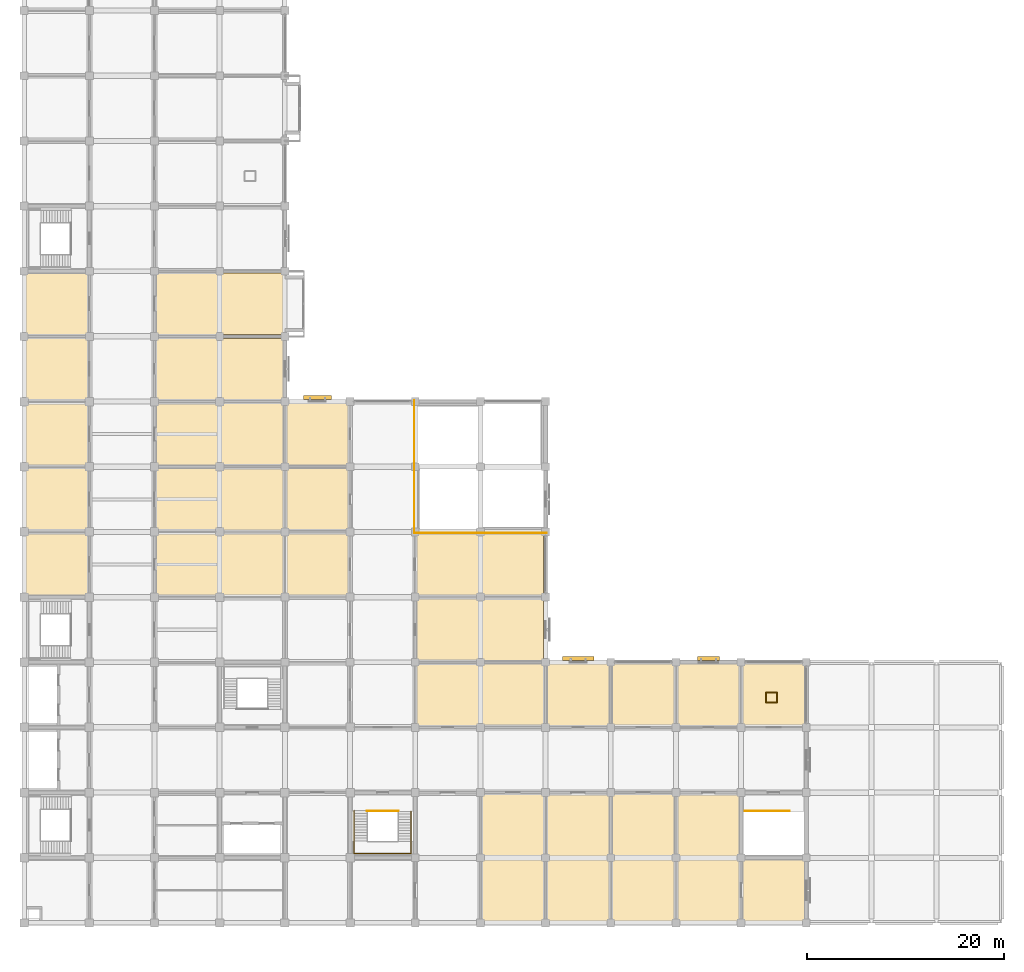
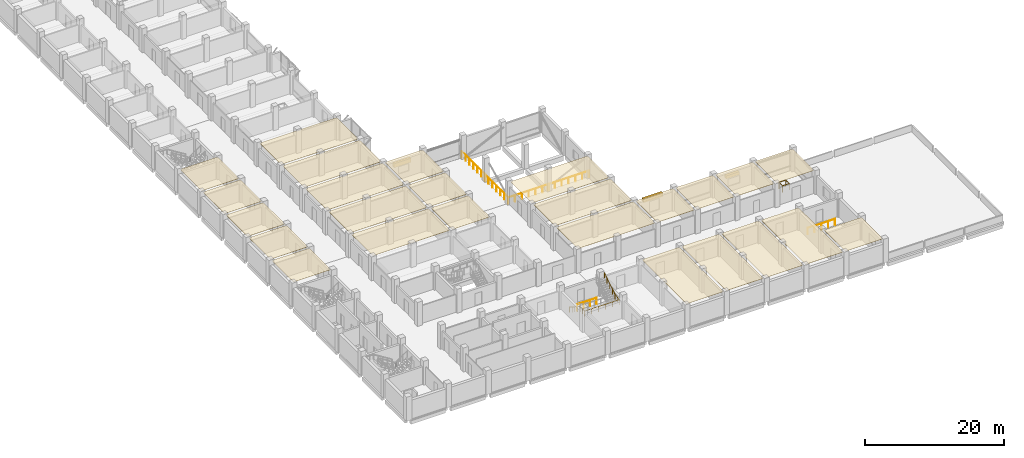
# One storey, part 29 of 30: 25 coverings, 8 railings, 3 shading devices.
"""IFC4 building model written with IfcOpenShell, lengths in metres."""

from ifc_helpers import new_model, si_unit, direction, frame, origin, origin_2d, place, context, subcontext, project, spatial, polyline, rectangle, circle, outline, extrude, material, layer, layer_set, type_object, element, save


model = new_model("IFC4")

# Units and contexts
model_context = context("Model", 3, precision=1e-05, world=origin(), true_north=direction((0.0, 1.0)))
body_context = subcontext(model_context, "Body", "Model", "MODEL_VIEW")
ifc_project = project(units=[si_unit("LENGTHUNIT", "METRE"), si_unit("AREAUNIT", "SQUARE_METRE"), si_unit("VOLUMEUNIT", "CUBIC_METRE"), si_unit("PLANEANGLEUNIT", "RADIAN"), si_unit("MASSUNIT", "GRAM", prefix="KILO")], contexts=[model_context])

# Site, building, storey
site_placement = place(None, origin())
site = spatial("IfcSite", under=ifc_project, at=site_placement, CompositionType="ELEMENT")
building_placement = place(site_placement, origin())
building = spatial("IfcBuilding", under=site, at=building_placement, Name="Rusizi Kubbe Research Institute", CompositionType="ELEMENT")
storey_placement = place(building_placement, frame((0.0, 0.0, 10.199951171875)))
storey = spatial("IfcBuildingStorey", under=building, at=storey_placement, Name="L02", CompositionType="ELEMENT", Elevation=10.199951171875)

# Coverings
ifc_material_1 = material(Name="Mineral-Fibre Acoustic Laboratory Ceiling", Category="masonry")
ifc_layer_1 = layer(ifc_material_1, 0.0400390625)
ifc_layer_set_1 = layer_set([ifc_layer_1], Name="Mineral-Fibre Acoustic Laboratory Ceiling")
covering_type_1 = type_object("IfcCoveringType", Name="CL-ACOUSTIC", PredefinedType="CEILING", material=ifc_layer_set_1)
covering_1_placement = place(storey_placement, frame((0.0, 0.0, 3.81005859375)))
element("IfcCovering", 1, at=covering_1_placement, inside=storey, type_object=covering_type_1, Name="Write-up Office Ceiling L02-ELBW-05", PredefinedType="CEILING", context=body_context, shape_type="SweptSolid", body=[
    extrude(outline(polyline([(26.590087890625, 33.18994140625), (32.81005859375, 33.18994140625), (32.81005859375, 39.409912109375), (26.590087890625, 39.409912109375), (26.590087890625, 33.18994140625)])), origin(), (0.0, 0.0, 1.0), 0.0400390625),
])
covering_2_placement = place(storey_placement, frame((0.0, 0.0, 3.81005859375)))
element("IfcCovering", 2, at=covering_2_placement, inside=storey, type_object=covering_type_1, Name="Write-up Office Ceiling L02-ELBW-06", PredefinedType="CEILING", context=body_context, shape_type="SweptSolid", body=[
    extrude(outline(polyline([(26.590087890625, 39.7900390625), (32.81005859375, 39.7900390625), (32.81005859375, 46.010009765625), (26.590087890625, 46.010009765625), (26.590087890625, 39.7900390625)])), origin(), (0.0, 0.0, 1.0), 0.0400390625),
])
covering_3_placement = place(storey_placement, frame((0.0, 0.0, 3.81005859375)))
element("IfcCovering", 3, at=covering_3_placement, inside=storey, type_object=covering_type_1, Name="Write-up Office Ceiling L02-ELBW-07", PredefinedType="CEILING", context=body_context, shape_type="SweptSolid", body=[
    extrude(outline(polyline([(26.590087890625, 46.389892578125), (32.81005859375, 46.389892578125), (32.81005859375, 52.610107421875), (26.590087890625, 52.610107421875), (26.590087890625, 46.389892578125)])), origin(), (0.0, 0.0, 1.0), 0.0400390625),
])
covering_4_placement = place(storey_placement, frame((0.0, 0.0, 3.81005859375)))
element("IfcCovering", 4, at=covering_4_placement, inside=storey, type_object=covering_type_1, Name="Write-up Office Ceiling L02-ELBE-03", PredefinedType="CEILING", context=body_context, shape_type="SweptSolid", body=[
    extrude(outline(polyline([(39.7900390625, 19.989990234375), (52.610107421875, 19.989990234375), (52.610107421875, 26.2099609375), (39.7900390625, 26.2099609375), (39.7900390625, 19.989990234375)])), origin(), (0.0, 0.0, 1.0), 0.0400390625),
])
covering_5_placement = place(storey_placement, frame((0.0, 0.0, 3.81005859375)))
element("IfcCovering", 5, at=covering_5_placement, inside=storey, type_object=covering_type_1, Name="Write-up Office Ceiling L02-ELBE-04", PredefinedType="CEILING", context=body_context, shape_type="SweptSolid", body=[
    extrude(outline(polyline([(39.7900390625, 26.590087890625), (52.610107421875, 26.590087890625), (52.610107421875, 32.81005859375), (39.7900390625, 32.81005859375), (39.7900390625, 26.590087890625)])), origin(), (0.0, 0.0, 1.0), 0.0400390625),
])
covering_6_placement = place(storey_placement, frame((0.0, 0.0, 3.81005859375)))
element("IfcCovering", 6, at=covering_6_placement, inside=storey, type_object=covering_type_1, Name="Write-up Office Ceiling L02-ELBE-05", PredefinedType="CEILING", context=body_context, shape_type="SweptSolid", body=[
    extrude(outline(polyline([(39.7900390625, 33.18994140625), (52.610107421875, 33.18994140625), (52.610107421875, 39.409912109375), (39.7900390625, 39.409912109375), (39.7900390625, 33.18994140625)])), origin(), (0.0, 0.0, 1.0), 0.0400390625),
])
covering_7_placement = place(storey_placement, frame((0.0, 0.0, 3.81005859375)))
element("IfcCovering", 7, at=covering_7_placement, inside=storey, type_object=covering_type_1, Name="Write-up Office Ceiling L02-NW-03", PredefinedType="CEILING", context=body_context, shape_type="SweptSolid", body=[
    extrude(outline(polyline([(13.389892578125, 33.18994140625), (26.2099609375, 33.18994140625), (26.2099609375, 39.409912109375), (13.389892578125, 39.409912109375), (13.389892578125, 33.18994140625)])), origin(), (0.0, 0.0, 1.0), 0.0400390625),
])
covering_8_placement = place(storey_placement, frame((0.0, 0.0, 3.81005859375)))
element("IfcCovering", 8, at=covering_8_placement, inside=storey, type_object=covering_type_1, Name="Bioscience Wet Laboratory Ceiling L02-NW-04", PredefinedType="CEILING", context=body_context, shape_type="SweptSolid", body=[
    extrude(outline(polyline([(13.389892578125, 39.7900390625), (26.2099609375, 39.7900390625), (26.2099609375, 46.010009765625), (13.389892578125, 46.010009765625), (13.389892578125, 39.7900390625)])), origin(), (0.0, 0.0, 1.0), 0.0400390625),
])
covering_9_placement = place(storey_placement, frame((0.0, 0.0, 3.81005859375)))
element("IfcCovering", 9, at=covering_9_placement, inside=storey, type_object=covering_type_1, Name="Computational Dry Laboratory Ceiling L02-NW-05", PredefinedType="CEILING", context=body_context, shape_type="SweptSolid", body=[
    extrude(outline(polyline([(13.389892578125, 46.389892578125), (26.2099609375, 46.389892578125), (26.2099609375, 52.610107421875), (13.389892578125, 52.610107421875), (13.389892578125, 46.389892578125)])), origin(), (0.0, 0.0, 1.0), 0.0400390625),
])
covering_10_placement = place(storey_placement, frame((0.0, 0.0, 3.81005859375)))
element("IfcCovering", 10, at=covering_10_placement, inside=storey, type_object=covering_type_1, Name="Write-up Office Ceiling L02-NW-06", PredefinedType="CEILING", context=body_context, shape_type="SweptSolid", body=[
    extrude(outline(polyline([(13.389892578125, 52.989990234375), (26.2099609375, 52.989990234375), (26.2099609375, 59.2099609375), (13.389892578125, 59.2099609375), (13.389892578125, 52.989990234375)])), origin(), (0.0, 0.0, 1.0), 0.0400390625),
])
covering_11_placement = place(storey_placement, frame((0.0, 0.0, 3.81005859375)))
element("IfcCovering", 11, at=covering_11_placement, inside=storey, type_object=covering_type_1, Name="Bioscience Wet Laboratory Ceiling L02-NW-07", PredefinedType="CEILING", context=body_context, shape_type="SweptSolid", body=[
    extrude(outline(polyline([(13.389892578125, 59.590087890625), (26.2099609375, 59.590087890625), (26.2099609375, 65.81005859375), (13.389892578125, 65.81005859375), (13.389892578125, 59.590087890625)])), origin(), (0.0, 0.0, 1.0), 0.0400390625),
])
covering_12_placement = place(storey_placement, frame((0.0, 0.0, 3.81005859375)))
element("IfcCovering", 12, at=covering_12_placement, inside=storey, type_object=covering_type_1, Name="Catalysis Wet Laboratory Ceiling L02-EWS-03", PredefinedType="CEILING", context=body_context, shape_type="SweptSolid", body=[
    extrude(outline(polyline([(46.389892578125, 0.18994140625), (52.610107421875, 0.18994140625), (52.610107421875, 13.010009765625), (46.389892578125, 13.010009765625), (46.389892578125, 0.18994140625)])), origin(), (0.0, 0.0, 1.0), 0.0400390625),
])
covering_13_placement = place(storey_placement, frame((0.0, 0.0, 3.81005859375)))
element("IfcCovering", 13, at=covering_13_placement, inside=storey, type_object=covering_type_1, Name="Catalysis Wet Laboratory Ceiling L02-EWS-05", PredefinedType="CEILING", context=body_context, shape_type="SweptSolid", body=[
    extrude(outline(polyline([(59.590087890625, 0.18994140625), (65.81005859375, 0.18994140625), (65.81005859375, 13.010009765625), (59.590087890625, 13.010009765625), (59.590087890625, 0.18994140625)])), origin(), (0.0, 0.0, 1.0), 0.0400390625),
])
covering_14_placement = place(storey_placement, frame((0.0, 0.0, 3.81005859375)))
element("IfcCovering", 14, at=covering_14_placement, inside=storey, type_object=covering_type_1, Name="Laboratory Instrument Support Room Ceiling L02-EWU-11", PredefinedType="CEILING", context=body_context, shape_type="SweptSolid", body=[
    extrude(outline(polyline([(72.7900390625, 0.18994140625), (79.010009765625, 0.18994140625), (79.010009765625, 6.409912109375), (72.7900390625, 6.409912109375), (72.7900390625, 0.18994140625)])), origin(), (0.0, 0.0, 1.0), 0.0400390625),
])
covering_15_placement = place(storey_placement, frame((0.0, 0.0, 3.81005859375)))
element("IfcCovering", 15, at=covering_15_placement, inside=storey, type_object=covering_type_1, Name="Write-up Office Ceiling L02-EWN-01", PredefinedType="CEILING", context=body_context, shape_type="SweptSolid", body=[
    extrude(outline(polyline([(52.989990234375, 19.989990234375), (59.2099609375, 19.989990234375), (59.2099609375, 26.2099609375), (52.989990234375, 26.2099609375), (52.989990234375, 19.989990234375)])), origin(), (0.0, 0.0, 1.0), 0.0400390625),
])
covering_16_placement = place(storey_placement, frame((0.0, 0.0, 3.81005859375)))
element("IfcCovering", 16, at=covering_16_placement, inside=storey, type_object=covering_type_1, Name="Molecular Diagnostics Laboratory Ceiling L02-EWN-02", PredefinedType="CEILING", context=body_context, shape_type="SweptSolid", body=[
    extrude(outline(polyline([(59.590087890625, 19.989990234375), (65.81005859375, 19.989990234375), (65.81005859375, 26.2099609375), (59.590087890625, 26.2099609375), (59.590087890625, 19.989990234375)])), origin(), (0.0, 0.0, 1.0), 0.0400390625),
])
covering_17_placement = place(storey_placement, frame((0.0, 0.0, 3.81005859375)))
element("IfcCovering", 17, at=covering_17_placement, inside=storey, type_object=covering_type_1, Name="Write-up Office Ceiling L02-EWN-03", PredefinedType="CEILING", context=body_context, shape_type="SweptSolid", body=[
    extrude(outline(polyline([(66.18994140625, 19.989990234375), (72.409912109375, 19.989990234375), (72.409912109375, 26.2099609375), (66.18994140625, 26.2099609375), (66.18994140625, 19.989990234375)])), origin(), (0.0, 0.0, 1.0), 0.0400390625),
])
covering_18_placement = place(storey_placement, frame((0.0, 0.0, 3.81005859375)))
element("IfcCovering", 18, at=covering_18_placement, inside=storey, type_object=covering_type_1, Name="Molecular Diagnostics Laboratory Ceiling L02-EWN-04", PredefinedType="CEILING", context=body_context, shape_type="SweptSolid", body=[
    extrude(outline(polyline([(72.7900390625, 19.989990234375), (79.010009765625, 19.989990234375), (79.010009765625, 26.2099609375), (72.7900390625, 26.2099609375), (72.7900390625, 19.989990234375)])), origin(), (0.0, 0.0, 1.0), 0.0400390625),
])
ifc_material_2 = material(Name="Flush Cleanroom Aluminium HEPA Ceiling Grid", Category="aluminium")
ifc_layer_2 = layer(ifc_material_2, 0.044921875)
ifc_layer_set_2 = layer_set([ifc_layer_2], Name="Flush Cleanroom Aluminium HEPA Ceiling Grid")
covering_type_2 = type_object("IfcCoveringType", Name="CL-HEPA", PredefinedType="CEILING", material=ifc_layer_set_2)
covering_19_placement = place(storey_placement, frame((0.0, 0.0, 3.804931640625)))
element("IfcCovering", 19, at=covering_19_placement, inside=storey, type_object=covering_type_2, Name="Clean Room Gowning Airlock Ceiling L02-ALK-05", PredefinedType="CEILING", context=body_context, shape_type="SweptSolid", body=[
    extrude(outline(polyline([(0.18994140625, 33.18994140625), (6.409912109375, 33.18994140625), (6.409912109375, 39.409912109375), (0.18994140625, 39.409912109375), (0.18994140625, 33.18994140625)])), origin(), (0.0, 0.0, 1.0), 0.045166015625),
])
covering_20_placement = place(storey_placement, frame((0.0, 0.0, 3.804931640625)))
element("IfcCovering", 20, at=covering_20_placement, inside=storey, type_object=covering_type_2, Name="ISO-6 Clean Room Suite Ceiling L02-CR-06", PredefinedType="CEILING", context=body_context, shape_type="SweptSolid", body=[
    extrude(outline(polyline([(0.18994140625, 39.7900390625), (6.409912109375, 39.7900390625), (6.409912109375, 46.010009765625), (0.18994140625, 46.010009765625), (0.18994140625, 39.7900390625)])), origin(), (0.0, 0.0, 1.0), 0.045166015625),
])
covering_21_placement = place(storey_placement, frame((0.0, 0.0, 3.804931640625)))
element("IfcCovering", 21, at=covering_21_placement, inside=storey, type_object=covering_type_2, Name="Clean Room Gowning Airlock Ceiling L02-ALK-07", PredefinedType="CEILING", context=body_context, shape_type="SweptSolid", body=[
    extrude(outline(polyline([(0.18994140625, 46.389892578125), (6.409912109375, 46.389892578125), (6.409912109375, 52.610107421875), (0.18994140625, 52.610107421875), (0.18994140625, 46.389892578125)])), origin(), (0.0, 0.0, 1.0), 0.045166015625),
])
covering_22_placement = place(storey_placement, frame((0.0, 0.0, 3.804931640625)))
element("IfcCovering", 22, at=covering_22_placement, inside=storey, type_object=covering_type_2, Name="ISO-6 Clean Room Suite Ceiling L02-CR-08", PredefinedType="CEILING", context=body_context, shape_type="SweptSolid", body=[
    extrude(outline(polyline([(0.18994140625, 52.989990234375), (6.409912109375, 52.989990234375), (6.409912109375, 59.2099609375), (0.18994140625, 59.2099609375), (0.18994140625, 52.989990234375)])), origin(), (0.0, 0.0, 1.0), 0.045166015625),
])
covering_23_placement = place(storey_placement, frame((0.0, 0.0, 3.804931640625)))
element("IfcCovering", 23, at=covering_23_placement, inside=storey, type_object=covering_type_2, Name="Clean Room Metrology Laboratory Ceiling L02-WSP-09", PredefinedType="CEILING", context=body_context, shape_type="SweptSolid", body=[
    extrude(outline(polyline([(0.18994140625, 59.590087890625), (6.409912109375, 59.590087890625), (6.409912109375, 65.81005859375), (0.18994140625, 65.81005859375), (0.18994140625, 59.590087890625)])), origin(), (0.0, 0.0, 1.0), 0.045166015625),
])
covering_24_placement = place(storey_placement, frame((0.0, 0.0, 3.804931640625)))
element("IfcCovering", 24, at=covering_24_placement, inside=storey, type_object=covering_type_2, Name="Clean Room Process Suite Ceiling L02-EWS-04", PredefinedType="CEILING", context=body_context, shape_type="SweptSolid", body=[
    extrude(outline(polyline([(52.989990234375, 0.18994140625), (59.2099609375, 0.18994140625), (59.2099609375, 13.010009765625), (52.989990234375, 13.010009765625), (52.989990234375, 0.18994140625)])), origin(), (0.0, 0.0, 1.0), 0.045166015625),
])
covering_25_placement = place(storey_placement, frame((0.0, 0.0, 3.804931640625)))
element("IfcCovering", 25, at=covering_25_placement, inside=storey, type_object=covering_type_2, Name="Clean Room Process Suite Ceiling L02-EWS-06", PredefinedType="CEILING", context=body_context, shape_type="SweptSolid", body=[
    extrude(outline(polyline([(66.18994140625, 0.18994140625), (72.409912109375, 0.18994140625), (72.409912109375, 13.010009765625), (66.18994140625, 13.010009765625), (66.18994140625, 0.18994140625)])), origin(), (0.0, 0.0, 1.0), 0.045166015625),
])

# Railings
ifc_material_3 = material(Name="Painted Steel Stair Guard", Category="steel")
railing_type_1 = type_object("IfcRailingType", Name="GR-STAIR", PredefinedType="GUARDRAIL", material=ifc_material_3)
railing_1_placement = place(storey_placement, frame((34.7099609375, 11.35009765625, 0.0)))
element("IfcRailing", 26, at=railing_1_placement, inside=storey, type_object=railing_type_1, Name="Stair Floor Edge Guard ST4 L02", PredefinedType="GUARDRAIL", context=body_context, shape_type="SweptSolid", body=[
    extrude(circle(Radius=0.02392578125, at=origin_2d()), frame((0.0, 0.0, 1.09619140625), z_axis=(1.0, 0.0, 0.0), x_axis=(0.0, 1.0, 0.0)), (0.0, 0.0, 1.0), 3.179931640625),
    extrude(circle(Radius=0.02099609375, at=origin_2d()), origin(), (0.0, 0.0, 1.0), 1.072021484375),
    extrude(circle(Radius=0.02099609375, at=origin_2d()), frame((1.06005859375, 0.0, 0.0)), (0.0, 0.0, 1.0), 1.072021484375),
    extrude(circle(Radius=0.02099609375, at=origin_2d()), frame((2.119873046875, 0.0, 0.0)), (0.0, 0.0, 1.0), 1.072021484375),
    extrude(circle(Radius=0.02099609375, at=origin_2d()), frame((3.179931640625, 0.0, 0.0)), (0.0, 0.0, 1.0), 1.072021484375),
])
railing_2_placement = place(storey_placement, frame((72.97998046875, 11.35009765625, 0.0)))
element("IfcRailing", 27, at=railing_2_placement, inside=storey, type_object=railing_type_1, Name="Top Landing Well Guard ST7 L02", PredefinedType="GUARDRAIL", context=body_context, shape_type="SweptSolid", body=[
    extrude(circle(Radius=0.02392578125, at=origin_2d()), frame((0.0, 0.0, 1.09619140625), z_axis=(1.0, 0.0, 0.0), x_axis=(0.0, 1.0, 0.0)), (0.0, 0.0, 1.0), 4.510009765625),
    extrude(circle(Radius=0.02099609375, at=origin_2d()), origin(), (0.0, 0.0, 1.0), 1.072021484375),
    extrude(circle(Radius=0.02099609375, at=origin_2d()), frame((1.12744140625, 0.0, 0.0)), (0.0, 0.0, 1.0), 1.072021484375),
    extrude(circle(Radius=0.02099609375, at=origin_2d()), frame((2.2548828125, 0.0, 0.0)), (0.0, 0.0, 1.0), 1.072021484375),
    extrude(circle(Radius=0.02099609375, at=origin_2d()), frame((3.382568359375, 0.0, 0.0)), (0.0, 0.0, 1.0), 1.072021484375),
    extrude(circle(Radius=0.02099609375, at=origin_2d()), frame((4.510009765625, 0.0, 0.0)), (0.0, 0.0, 1.0), 1.072021484375),
])
railing_3_placement = place(storey_placement, frame((75.1201171875, 22.320068359375, 0.0)))
element("IfcRailing", 28, at=railing_3_placement, inside=storey, type_object=railing_type_1, Name="Service Riser Guard L02 EAST", PredefinedType="GUARDRAIL", context=body_context, shape_type="SweptSolid", body=[
    extrude(circle(Radius=0.02392578125, at=origin_2d()), frame((0.0, 0.0, 1.09619140625), z_axis=(1.0, 0.0, 0.0), x_axis=(0.0, 1.0, 0.0)), (0.0, 0.0, 1.0), 1.10986328125),
    extrude(circle(Radius=0.02392578125, at=origin_2d()), frame((1.10986328125, 0.0, 1.09619140625), z_axis=(0.0, 1.0, 0.0), x_axis=(-1.0, 0.0, 0.0)), (0.0, 0.0, 1.0), 1.010009765625),
    extrude(circle(Radius=0.02392578125, at=origin_2d()), frame((1.10986328125, 1.010009765625, 1.09619140625), z_axis=(-1.0, 0.0, 0.0), x_axis=(0.0, -1.0, 0.0)), (0.0, 0.0, 1.0), 1.10986328125),
    extrude(circle(Radius=0.02392578125, at=origin_2d()), frame((0.0, 1.010009765625, 1.09619140625), z_axis=(0.0, -1.0, 0.0), x_axis=(1.0, 0.0, 0.0)), (0.0, 0.0, 1.0), 1.010009765625),
    extrude(circle(Radius=0.02099609375, at=origin_2d()), origin(), (0.0, 0.0, 1.0), 1.072021484375),
    extrude(circle(Radius=0.02099609375, at=origin_2d()), frame((1.10986328125, 0.0, 0.0)), (0.0, 0.0, 1.0), 1.072021484375),
    extrude(circle(Radius=0.02099609375, at=origin_2d()), frame((1.10986328125, 1.010009765625, 0.0)), (0.0, 0.0, 1.0), 1.072021484375),
    extrude(circle(Radius=0.02099609375, at=origin_2d()), frame((0.0, 1.010009765625, 0.0)), (0.0, 0.0, 1.0), 1.072021484375),
])
ifc_material_4 = material(Name="Tempered Glass and Bronze Atrium Balustrade", Category="steel")
railing_type_2 = type_object("IfcRailingType", Name="GR-VOID", PredefinedType="BALUSTRADE", material=ifc_material_4)
railing_4_placement = place(storey_placement, frame((39.5, 39.5, 0.0)))
element("IfcRailing", 29, at=railing_4_placement, inside=storey, type_object=railing_type_2, Name="Atrium Void Balustrade L02-01", PredefinedType="BALUSTRADE", context=body_context, shape_type="SweptSolid", body=[
    extrude(circle(Radius=0.02392578125, at=origin_2d()), frame((0.0, 0.0, 1.09619140625), z_axis=(1.0, 0.0, 0.0), x_axis=(0.0, 1.0, 0.0)), (0.0, 0.0, 1.0), 6.800048828125),
    extrude(circle(Radius=0.02099609375, at=origin_2d()), origin(), (0.0, 0.0, 1.0), 1.072021484375),
    extrude(circle(Radius=0.02099609375, at=origin_2d()), frame((1.13330078125, 0.0, 0.0)), (0.0, 0.0, 1.0), 1.072021484375),
    extrude(circle(Radius=0.02099609375, at=origin_2d()), frame((2.2666015625, 0.0, 0.0)), (0.0, 0.0, 1.0), 1.072021484375),
    extrude(circle(Radius=0.02099609375, at=origin_2d()), frame((3.39990234375, 0.0, 0.0)), (0.0, 0.0, 1.0), 1.072021484375),
    extrude(circle(Radius=0.02099609375, at=origin_2d()), frame((4.533447265625, 0.0, 0.0)), (0.0, 0.0, 1.0), 1.072021484375),
    extrude(circle(Radius=0.02099609375, at=origin_2d()), frame((5.666748046875, 0.0, 0.0)), (0.0, 0.0, 1.0), 1.072021484375),
    extrude(circle(Radius=0.02099609375, at=origin_2d()), frame((6.800048828125, 0.0, 0.0)), (0.0, 0.0, 1.0), 1.072021484375),
])
railing_5_placement = place(storey_placement, frame((39.5, 39.5, 0.0)))
element("IfcRailing", 30, at=railing_5_placement, inside=storey, type_object=railing_type_2, Name="Atrium Void Balustrade L02-02", PredefinedType="BALUSTRADE", context=body_context, shape_type="SweptSolid", body=[
    extrude(circle(Radius=0.02392578125, at=origin_2d()), frame((0.0, 0.0, 1.09619140625), z_axis=(0.0, 1.0, 0.0), x_axis=(-1.0, 0.0, 0.0)), (0.0, 0.0, 1.0), 6.800048828125),
    extrude(circle(Radius=0.02099609375, at=origin_2d()), origin(), (0.0, 0.0, 1.0), 1.072021484375),
    extrude(circle(Radius=0.02099609375, at=origin_2d()), frame((0.0, 1.13330078125, 0.0)), (0.0, 0.0, 1.0), 1.072021484375),
    extrude(circle(Radius=0.02099609375, at=origin_2d()), frame((0.0, 2.2666015625, 0.0)), (0.0, 0.0, 1.0), 1.072021484375),
    extrude(circle(Radius=0.02099609375, at=origin_2d()), frame((0.0, 3.39990234375, 0.0)), (0.0, 0.0, 1.0), 1.072021484375),
    extrude(circle(Radius=0.02099609375, at=origin_2d()), frame((0.0, 4.533447265625, 0.0)), (0.0, 0.0, 1.0), 1.072021484375),
    extrude(circle(Radius=0.02099609375, at=origin_2d()), frame((0.0, 5.666748046875, 0.0)), (0.0, 0.0, 1.0), 1.072021484375),
    extrude(circle(Radius=0.02099609375, at=origin_2d()), frame((0.0, 6.800048828125, 0.0)), (0.0, 0.0, 1.0), 1.072021484375),
])
railing_6_placement = place(storey_placement, frame((39.5, 46.10009765625, 0.0)))
element("IfcRailing", 31, at=railing_6_placement, inside=storey, type_object=railing_type_2, Name="Atrium Void Balustrade L02-03", PredefinedType="BALUSTRADE", context=body_context, shape_type="SweptSolid", body=[
    extrude(circle(Radius=0.02392578125, at=origin_2d()), frame((0.0, 0.0, 1.09619140625), z_axis=(0.0, 1.0, 0.0), x_axis=(-1.0, 0.0, 0.0)), (0.0, 0.0, 1.0), 6.7998046875),
    extrude(circle(Radius=0.02099609375, at=origin_2d()), origin(), (0.0, 0.0, 1.0), 1.072021484375),
    extrude(circle(Radius=0.02099609375, at=origin_2d()), frame((0.0, 1.13330078125, 0.0)), (0.0, 0.0, 1.0), 1.072021484375),
    extrude(circle(Radius=0.02099609375, at=origin_2d()), frame((0.0, 2.2666015625, 0.0)), (0.0, 0.0, 1.0), 1.072021484375),
    extrude(circle(Radius=0.02099609375, at=origin_2d()), frame((0.0, 3.39990234375, 0.0)), (0.0, 0.0, 1.0), 1.072021484375),
    extrude(circle(Radius=0.02099609375, at=origin_2d()), frame((0.0, 4.533203125, 0.0)), (0.0, 0.0, 1.0), 1.072021484375),
    extrude(circle(Radius=0.02099609375, at=origin_2d()), frame((0.0, 5.66650390625, 0.0)), (0.0, 0.0, 1.0), 1.072021484375),
    extrude(circle(Radius=0.02099609375, at=origin_2d()), frame((0.0, 6.7998046875, 0.0)), (0.0, 0.0, 1.0), 1.072021484375),
])
railing_7_placement = place(storey_placement, frame((46.10009765625, 39.5, 0.0)))
element("IfcRailing", 32, at=railing_7_placement, inside=storey, type_object=railing_type_2, Name="Atrium Void Balustrade L02-04", PredefinedType="BALUSTRADE", context=body_context, shape_type="SweptSolid", body=[
    extrude(circle(Radius=0.02392578125, at=origin_2d()), frame((0.0, 0.0, 1.09619140625), z_axis=(1.0, 0.0, 0.0), x_axis=(0.0, 1.0, 0.0)), (0.0, 0.0, 1.0), 6.7998046875),
    extrude(circle(Radius=0.02099609375, at=origin_2d()), origin(), (0.0, 0.0, 1.0), 1.072021484375),
    extrude(circle(Radius=0.02099609375, at=origin_2d()), frame((1.13330078125, 0.0, 0.0)), (0.0, 0.0, 1.0), 1.072021484375),
    extrude(circle(Radius=0.02099609375, at=origin_2d()), frame((2.2666015625, 0.0, 0.0)), (0.0, 0.0, 1.0), 1.072021484375),
    extrude(circle(Radius=0.02099609375, at=origin_2d()), frame((3.39990234375, 0.0, 0.0)), (0.0, 0.0, 1.0), 1.072021484375),
    extrude(circle(Radius=0.02099609375, at=origin_2d()), frame((4.533203125, 0.0, 0.0)), (0.0, 0.0, 1.0), 1.072021484375),
    extrude(circle(Radius=0.02099609375, at=origin_2d()), frame((5.66650390625, 0.0, 0.0)), (0.0, 0.0, 1.0), 1.072021484375),
    extrude(circle(Radius=0.02099609375, at=origin_2d()), frame((6.7998046875, 0.0, 0.0)), (0.0, 0.0, 1.0), 1.072021484375),
])
ifc_material_5 = material(Name="Brushed Stainless Steel Handrail", Category="steel")
railing_type_3 = type_object("IfcRailingType", Name="HR-STAIR", PredefinedType="HANDRAIL", material=ifc_material_5)
railing_8_placement = place(storey_placement, frame((33.419921875, 11.3798828125, 0.175048828125)))
element("IfcRailing", 33, at=railing_8_placement, inside=storey, type_object=railing_type_3, Name="Stair Wall Handrail ST4 L02", PredefinedType="HANDRAIL", context=body_context, shape_type="SweptSolid", body=[
    extrude(circle(Radius=0.02392578125, at=origin_2d()), frame((0.0, 0.0, 0.8759765625), z_axis=(0.0, -0.847979421464, 0.530029150871), x_axis=(1.0, 0.0, 0.0)), (0.0, 0.0, 1.0), 3.632080078125),
    extrude(circle(Radius=0.02392578125, at=origin_2d()), frame((0.0, -3.079833984375, 2.80078125), z_axis=(0.0, -1.0, 0.0), x_axis=(1.0, 0.0, 0.0)), (0.0, 0.0, 1.0), 1.280029296875),
    extrude(circle(Radius=0.02392578125, at=origin_2d()), frame((0.0, -4.35986328125, 2.80078125), z_axis=(1.0, 0.0, 0.0), x_axis=(0.0, 1.0, 0.0)), (0.0, 0.0, 1.0), 5.760009765625),
    extrude(circle(Radius=0.02392578125, at=origin_2d()), frame((5.760009765625, -4.35986328125, 2.80078125), z_axis=(0.0, 0.989630492691, 0.143636652482), x_axis=(-1.0, 0.0, 0.0)), (0.0, 0.0, 1.0), 1.21875),
    extrude(circle(Radius=0.02392578125, at=origin_2d()), frame((5.760009765625, -3.15380859375, 2.97607421875), z_axis=(0.0, 0.847555548714, 0.530706690974), x_axis=(-1.0, 0.0, 0.0)), (0.0, 0.0, 1.0), 3.626953125),
    extrude(circle(Radius=0.02099609375, at=origin_2d()), origin(), (0.0, 0.0, 1.0), 0.851806640625),
    extrude(circle(Radius=0.02099609375, at=origin_2d()), frame((0.0, -0.77001953125, 0.481201171875)), (0.0, 0.0, 1.0), 0.851806640625),
    extrude(circle(Radius=0.02099609375, at=origin_2d()), frame((0.0, -1.5400390625, 0.96240234375)), (0.0, 0.0, 1.0), 0.851806640625),
    extrude(circle(Radius=0.02099609375, at=origin_2d()), frame((0.0, -2.309814453125, 1.44384765625)), (0.0, 0.0, 1.0), 0.851806640625),
    extrude(circle(Radius=0.02099609375, at=origin_2d()), frame((0.0, -3.079833984375, 1.925048828125)), (0.0, 0.0, 1.0), 0.851806640625),
    extrude(circle(Radius=0.02099609375, at=origin_2d()), frame((0.0, -3.7197265625, 1.925048828125)), (0.0, 0.0, 1.0), 0.851806640625),
    extrude(circle(Radius=0.02099609375, at=origin_2d()), frame((0.0, -4.35986328125, 1.925048828125)), (0.0, 0.0, 1.0), 0.851806640625),
    extrude(circle(Radius=0.02099609375, at=origin_2d()), frame((1.152099609375, -4.35986328125, 1.925048828125)), (0.0, 0.0, 1.0), 0.851806640625),
    extrude(circle(Radius=0.02099609375, at=origin_2d()), frame((2.303955078125, -4.35986328125, 1.925048828125)), (0.0, 0.0, 1.0), 0.851806640625),
    extrude(circle(Radius=0.02099609375, at=origin_2d()), frame((3.4560546875, -4.35986328125, 1.925048828125)), (0.0, 0.0, 1.0), 0.851806640625),
    extrude(circle(Radius=0.02099609375, at=origin_2d()), frame((4.60791015625, -4.35986328125, 1.925048828125)), (0.0, 0.0, 1.0), 0.851806640625),
    extrude(circle(Radius=0.02099609375, at=origin_2d()), frame((5.760009765625, -4.35986328125, 1.925048828125)), (0.0, 0.0, 1.0), 0.851806640625),
    extrude(circle(Radius=0.02099609375, at=origin_2d()), frame((5.760009765625, -3.7568359375, 2.0126953125)), (0.0, 0.0, 1.0), 0.851806640625),
    extrude(circle(Radius=0.02099609375, at=origin_2d()), frame((5.760009765625, -3.15380859375, 2.10009765625)), (0.0, 0.0, 1.0), 0.851806640625),
    extrude(circle(Radius=0.02099609375, at=origin_2d()), frame((5.760009765625, -2.38525390625, 2.581298828125)), (0.0, 0.0, 1.0), 0.851806640625),
    extrude(circle(Radius=0.02099609375, at=origin_2d()), frame((5.760009765625, -1.61669921875, 3.0625)), (0.0, 0.0, 1.0), 0.851806640625),
    extrude(circle(Radius=0.02099609375, at=origin_2d()), frame((5.760009765625, -0.848388671875, 3.543701171875)), (0.0, 0.0, 1.0), 0.851806640625),
    extrude(circle(Radius=0.02099609375, at=origin_2d()), frame((5.760009765625, -0.079833984375, 4.02490234375)), (0.0, 0.0, 1.0), 0.851806640625),
])

# Shading devices
ifc_material_6 = material(Name="Extruded Aluminium Solar Louver", Category="aluminium")
shading_device_type_1 = type_object("IfcShadingDeviceType", Name="SD-02", PredefinedType="SHUTTER", material=ifc_material_6)
shading_device_1_placement = place(storey_placement, frame((29.699951171875, 53.197509765625, 2.0400390625), z_axis=(0.0, 0.0, 1.0), x_axis=(1.0, 0.0, 0.0)))
element("IfcShadingDevice", 34, at=shading_device_1_placement, inside=storey, type_object=shading_device_type_1, Name="Solar Shading Louver SD-02-021", PredefinedType="SHUTTER", context=body_context, shape_type="SweptSolid", body=[
    extrude(rectangle(XDim=2.800048828125, YDim=0.419921875, at=origin_2d()), origin(), (0.0, 0.0, 1.0), 0.699951171875),
])
ifc_material_7 = material(Name="Extruded Aluminium Solar Louver", Category="aluminium")
shading_device_type_2 = type_object("IfcShadingDeviceType", Name="SD-03", PredefinedType="SHUTTER", material=ifc_material_7)
shading_device_2_placement = place(storey_placement, frame((56.10009765625, 26.797607421875, 2.72509765625), z_axis=(0.0, 0.0, 1.0), x_axis=(1.0, 0.0, 0.0)))
element("IfcShadingDevice", 35, at=shading_device_2_placement, inside=storey, type_object=shading_device_type_2, Name="Solar Shading Louver SD-03-022", PredefinedType="SHUTTER", context=body_context, shape_type="SweptSolid", body=[
    extrude(rectangle(XDim=3.199951171875, YDim=0.419921875, at=origin_2d()), origin(), (0.0, 0.0, 1.0), 0.64990234375),
])
ifc_material_8 = material(Name="Extruded Aluminium Solar Louver", Category="aluminium")
shading_device_type_3 = type_object("IfcShadingDeviceType", Name="SD-04", PredefinedType="SHUTTER", material=ifc_material_8)
shading_device_3_placement = place(storey_placement, frame((69.300048828125, 26.782470703125, 2.115234375), z_axis=(0.0, 0.0, 1.0), x_axis=(1.0, 0.0, 0.0)))
element("IfcShadingDevice", 36, at=shading_device_3_placement, inside=storey, type_object=shading_device_type_3, Name="Solar Shading Louver SD-04-023", PredefinedType="SHUTTER", context=body_context, shape_type="SweptSolid", body=[
    extrude(rectangle(XDim=2.199951171875, YDim=0.419921875, at=origin_2d()), origin(), (0.0, 0.0, 1.0), 0.550048828125),
])

save(model, "model.ifc")
